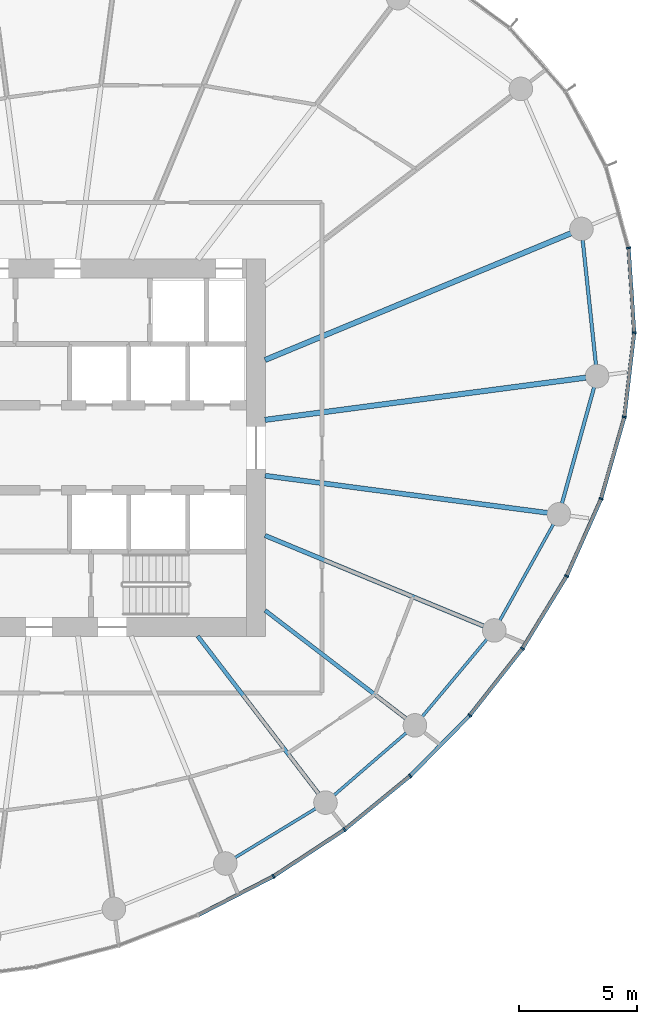
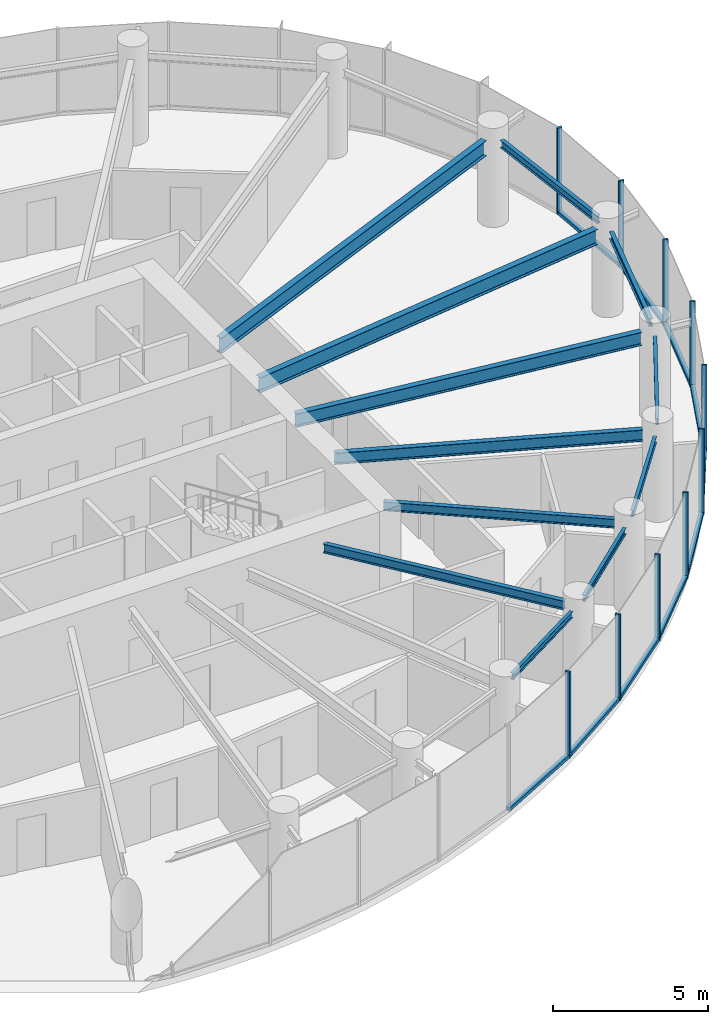
# One storey, part 4 of 15: 20 members, 12 beams, 3 elements without a shape of their own.
"""IFC4 building model written with IfcOpenShell, lengths in metres."""

from ifc_helpers import new_model, si_unit, direction, frame, origin, origin_2d, place, context, subcontext, project, spatial, rectangle, i_section, extrude, source, transform, mapped, material, layer, layer_set, material_profile, profile_set, type_object, element, aggregate, save


model = new_model("IFC4")

# Units and contexts
model_context = context("Model", 3, precision=1e-05, world=origin(), true_north=direction((0.0, 1.0)))
body_context = subcontext(model_context, "Body", "Model", "MODEL_VIEW")
ifc_project = project(units=[si_unit("LENGTHUNIT", "METRE"), si_unit("AREAUNIT", "SQUARE_METRE"), si_unit("VOLUMEUNIT", "CUBIC_METRE"), si_unit("PLANEANGLEUNIT", "RADIAN"), si_unit("MASSUNIT", "GRAM", prefix="KILO")], contexts=[model_context])

# Site, building, storey
site_placement = place(None, origin())
site = spatial("IfcSite", under=ifc_project, at=site_placement, CompositionType="ELEMENT")
building_placement = place(site_placement, origin())
building = spatial("IfcBuilding", under=site, at=building_placement, Name="Spindrift Exchange Tower", CompositionType="ELEMENT")
storey_placement = place(building_placement, frame((0.0, 0.0, 176.0)))
storey = spatial("IfcBuildingStorey", under=building, at=storey_placement, Name="L42", CompositionType="ELEMENT", Elevation=176.0)

# Beams
ifc_material_1 = material(Name="Steel Grade 300", Category="steel")
ifc_material_profile_1 = material_profile(ifc_material_1, i_section(OverallWidth=0.14892578125, OverallDepth=0.298095703125, WebThickness=0.005615234375, FlangeThickness=0.008056640625, FilletRadius=0.012939453125, at=origin_2d()), Name="310UB32.0")
ifc_profile_set_1 = profile_set([ifc_material_profile_1], Name="Steel Grade 300")
beam_type_1 = type_object("IfcBeamType", Name="Edge Beam 310UB32.0 Steel Grade 300", PredefinedType="SPANDREL", material=ifc_profile_set_1)
shared_shape_1 = source(origin(), body_context, "Body", "SweptSolid", [
    extrude(i_section(OverallWidth=0.14892578125, OverallDepth=0.298095703125, WebThickness=0.005615234375, FlangeThickness=0.008056640625, FilletRadius=0.012939453125, at=origin_2d()), origin(), (0.0, 0.0, 1.0), 5.31640625),
])
beam_1_placement = place(storey_placement, frame((75.010986328125, 51.513427734375, 3.2509765625), z_axis=(-0.10598990948, 0.994367205357, 0.0), x_axis=(-0.994367205357, -0.10598990948, 0.0)))
element("IfcBeam", 1, at=beam_1_placement, inside=storey, type_object=beam_type_1, Name="L42 edge beam E01", PredefinedType="SPANDREL", context=body_context, shape_type="MappedRepresentation", body=[
    mapped(shared_shape_1, transform((0.0, 0.0, 0.0), scale=1.0)),
])
ifc_material_profile_2 = material_profile(ifc_material_1, i_section(OverallWidth=0.1240234375, OverallDepth=0.248046875, WebThickness=0.0048828125, FlangeThickness=0.008056640625, FilletRadius=0.011962890625, at=origin_2d()), Name="250UB25.7")
ifc_profile_set_2 = profile_set([ifc_material_profile_2], Name="Steel Grade 300")
beam_type_2 = type_object("IfcBeamType", Name="Edge Beam 250UB25.7 Steel Grade 300", PredefinedType="SPANDREL", material=ifc_profile_set_2)
shared_shape_2 = source(origin(), body_context, "Body", "SweptSolid", [
    extrude(i_section(OverallWidth=0.1240234375, OverallDepth=0.248046875, WebThickness=0.0048828125, FlangeThickness=0.008056640625, FilletRadius=0.011962890625, at=origin_2d()), origin(), (0.0, 0.0, 1.0), 4.00634765625),
])
beam_2_placement = place(storey_placement, frame((59.7109375, 30.623779296875, 3.27587890625), z_axis=(0.854331495603, 0.519728482596, 0.0), x_axis=(-0.519728482596, 0.854331495603, 0.0)))
element("IfcBeam", 2, at=beam_2_placement, inside=storey, type_object=beam_type_2, Name="L42 edge beam E20", PredefinedType="SPANDREL", context=body_context, shape_type="MappedRepresentation", body=[
    mapped(shared_shape_2, transform((0.0, 0.0, 0.0), scale=1.0)),
])
shared_shape_3 = source(origin(), body_context, "Body", "SweptSolid", [
    extrude(i_section(OverallWidth=0.1240234375, OverallDepth=0.248046875, WebThickness=0.0048828125, FlangeThickness=0.008056640625, FilletRadius=0.011962890625, at=origin_2d()), origin(), (0.0, 0.0, 1.0), 4.052001953125),
])
beam_3_placement = place(storey_placement, frame((63.906982421875, 33.269287109375, 3.27587890625), z_axis=(0.756715968535, 0.65374379, 0.0), x_axis=(-0.65374379, 0.756715968535, 0.0)))
element("IfcBeam", 3, at=beam_3_placement, inside=storey, type_object=beam_type_2, Name="L42 edge beam E21", PredefinedType="SPANDREL", context=body_context, shape_type="MappedRepresentation", body=[
    mapped(shared_shape_3, transform((0.0, 0.0, 0.0), scale=1.0)),
])
shared_shape_4 = source(origin(), body_context, "Body", "SweptSolid", [
    extrude(i_section(OverallWidth=0.1240234375, OverallDepth=0.248046875, WebThickness=0.0048828125, FlangeThickness=0.008056640625, FilletRadius=0.011962890625, at=origin_2d()), origin(), (0.0, 0.0, 1.0), 4.282958984375),
])
beam_4_placement = place(storey_placement, frame((67.644287109375, 36.600341796875, 3.27587890625), z_axis=(0.641400288548, 0.767206406289, 0.0), x_axis=(-0.767206406289, 0.641400288548, 0.0)))
element("IfcBeam", 4, at=beam_4_placement, inside=storey, type_object=beam_type_2, Name="L42 edge beam E22", PredefinedType="SPANDREL", context=body_context, shape_type="MappedRepresentation", body=[
    mapped(shared_shape_4, transform((0.0, 0.0, 0.0), scale=1.0)),
])
shared_shape_5 = source(origin(), body_context, "Body", "SweptSolid", [
    extrude(i_section(OverallWidth=0.1240234375, OverallDepth=0.248046875, WebThickness=0.0048828125, FlangeThickness=0.008056640625, FilletRadius=0.011962890625, at=origin_2d()), origin(), (0.0, 0.0, 1.0), 4.6748046875),
])
beam_5_placement = place(storey_placement, frame((70.932861328125, 40.673828125, 3.27587890625), z_axis=(0.486587145143, 0.873632045075, 0.0), x_axis=(-0.873632045075, 0.486587145143, 0.0)))
element("IfcBeam", 5, at=beam_5_placement, inside=storey, type_object=beam_type_2, Name="L42 edge beam E23", PredefinedType="SPANDREL", context=body_context, shape_type="MappedRepresentation", body=[
    mapped(shared_shape_5, transform((0.0, 0.0, 0.0), scale=1.0)),
])
shared_shape_6 = source(origin(), body_context, "Body", "SweptSolid", [
    extrude(i_section(OverallWidth=0.14892578125, OverallDepth=0.298095703125, WebThickness=0.005615234375, FlangeThickness=0.008056640625, FilletRadius=0.012939453125, at=origin_2d()), origin(), (0.0, 0.0, 1.0), 5.118896484375),
])
beam_6_placement = place(storey_placement, frame((73.569091796875, 45.639892578125, 3.2509765625), z_axis=(0.266654866605, 0.963792084485, 0.0), x_axis=(-0.963792084485, 0.266654866605, 0.0)))
element("IfcBeam", 6, at=beam_6_placement, inside=storey, type_object=beam_type_1, Name="L42 edge beam E24", PredefinedType="SPANDREL", context=body_context, shape_type="MappedRepresentation", body=[
    mapped(shared_shape_6, transform((0.0, 0.0, 0.0), scale=1.0)),
])
ifc_material_profile_3 = material_profile(ifc_material_1, i_section(OverallWidth=0.22802734375, OverallDepth=0.60205078125, WebThickness=0.010498046875, FlangeThickness=0.014892578125, FilletRadius=0.013916015625, at=origin_2d()), Name="610UB101")
ifc_profile_set_3 = profile_set([ifc_material_profile_3], Name="Steel Grade 300")
beam_type_3 = type_object("IfcBeamType", Name="Floor Beam 610UB101 Steel Grade 300", PredefinedType="BEAM", material=ifc_profile_set_3)
shared_shape_7 = source(origin(), body_context, "Body", "SweptSolid", [
    extrude(i_section(OverallWidth=0.22802734375, OverallDepth=0.60205078125, WebThickness=0.010498046875, FlangeThickness=0.014892578125, FilletRadius=0.013916015625, at=origin_2d()), origin(), (0.0, 0.0, 1.0), 13.723388671875),
])
beam_7_placement = place(storey_placement, frame((60.980224609375, 49.182373046875, 3.09912109375), z_axis=(0.991447148915, 0.13050881544, 0.0), x_axis=(-0.13050881544, 0.991447148915, 0.0)))
element("IfcBeam", 7, at=beam_7_placement, inside=storey, type_object=beam_type_3, Name="L42 radial beam R01A", PredefinedType="BEAM", context=body_context, shape_type="MappedRepresentation", body=[
    mapped(shared_shape_7, transform((0.0, 0.0, 0.0), scale=1.0)),
])
shared_shape_8 = source(origin(), body_context, "Body", "SweptSolid", [
    extrude(i_section(OverallWidth=0.22802734375, OverallDepth=0.60205078125, WebThickness=0.010498046875, FlangeThickness=0.014892578125, FilletRadius=0.013916015625, at=origin_2d()), origin(), (0.0, 0.0, 1.0), 14.04052734375),
])
beam_8_placement = place(storey_placement, frame((60.9814453125, 51.72021484375, 3.09912109375), z_axis=(0.923879501748, 0.382683506634, 0.0), x_axis=(-0.382683506634, 0.923879501748, 0.0)))
element("IfcBeam", 8, at=beam_8_placement, inside=storey, type_object=beam_type_3, Name="L42 radial beam R02A", PredefinedType="BEAM", context=body_context, shape_type="MappedRepresentation", body=[
    mapped(shared_shape_8, transform((0.0, 0.0, 0.0), scale=1.0)),
])
ifc_material_profile_4 = material_profile(ifc_material_1, i_section(OverallWidth=0.1708984375, OverallDepth=0.35205078125, WebThickness=0.0068359375, FlangeThickness=0.009765625, FilletRadius=0.013916015625, at=origin_2d()), Name="360UB44.7")
ifc_profile_set_4 = profile_set([ifc_material_profile_4], Name="Steel Grade 300")
beam_type_4 = type_object("IfcBeamType", Name="Floor Beam 360UB44.7 Steel Grade 300", PredefinedType="BEAM", material=ifc_profile_set_4)
shared_shape_9 = source(origin(), body_context, "Body", "SweptSolid", [
    extrude(i_section(OverallWidth=0.1708984375, OverallDepth=0.35205078125, WebThickness=0.0068359375, FlangeThickness=0.009765625, FilletRadius=0.013916015625, at=origin_2d()), origin(), (0.0, 0.0, 1.0), 8.419189453125),
])
beam_9_placement = place(storey_placement, frame((58.12646484375, 40.015869140625, 3.22412109375), z_axis=(0.608755970582, -0.79335752866, 0.0), x_axis=(0.79335752866, 0.608755970582, 0.0)))
element("IfcBeam", 9, at=beam_9_placement, inside=storey, type_object=beam_type_4, Name="L42 radial beam R21A", PredefinedType="BEAM", context=body_context, shape_type="MappedRepresentation", body=[
    mapped(shared_shape_9, transform((0.0, 0.0, 0.0), scale=1.0)),
])
shared_shape_10 = source(origin(), body_context, "Body", "SweptSolid", [
    extrude(i_section(OverallWidth=0.1708984375, OverallDepth=0.35205078125, WebThickness=0.0068359375, FlangeThickness=0.009765625, FilletRadius=0.013916015625, at=origin_2d()), origin(), (0.0, 0.0, 1.0), 7.52685546875),
])
beam_10_placement = place(storey_placement, frame((60.984130859375, 41.106201171875, 3.22412109375), z_axis=(0.793354136078, -0.608760391918, 0.0), x_axis=(0.608760391918, 0.793354136078, 0.0)))
element("IfcBeam", 10, at=beam_10_placement, inside=storey, type_object=beam_type_4, Name="L42 radial beam R22A", PredefinedType="BEAM", context=body_context, shape_type="MappedRepresentation", body=[
    mapped(shared_shape_10, transform((0.0, 0.0, 0.0), scale=1.0)),
])
ifc_material_profile_5 = material_profile(ifc_material_1, i_section(OverallWidth=0.18994140625, OverallDepth=0.4541015625, WebThickness=0.008544921875, FlangeThickness=0.0126953125, FilletRadius=0.013916015625, at=origin_2d()), Name="460UB67.1")
ifc_profile_set_5 = profile_set([ifc_material_profile_5], Name="Steel Grade 300")
beam_type_5 = type_object("IfcBeamType", Name="Floor Beam 460UB67.1 Steel Grade 300", PredefinedType="BEAM", material=ifc_profile_set_5)
shared_shape_11 = source(origin(), body_context, "Body", "SweptSolid", [
    extrude(i_section(OverallWidth=0.18994140625, OverallDepth=0.4541015625, WebThickness=0.008544921875, FlangeThickness=0.0126953125, FilletRadius=0.013916015625, at=origin_2d()), origin(), (0.0, 0.0, 1.0), 10.03857421875),
])
beam_11_placement = place(storey_placement, frame((60.9814453125, 44.27978515625, 3.173095703125), z_axis=(0.923880777638, -0.382680426349, 0.0), x_axis=(0.382680426349, 0.923880777638, 0.0)))
element("IfcBeam", 11, at=beam_11_placement, inside=storey, type_object=beam_type_5, Name="L42 radial beam R23A", PredefinedType="BEAM", context=body_context, shape_type="MappedRepresentation", body=[
    mapped(shared_shape_11, transform((0.0, 0.0, 0.0), scale=1.0)),
])
ifc_material_profile_6 = material_profile(ifc_material_1, i_section(OverallWidth=0.208984375, OverallDepth=0.528076171875, WebThickness=0.009521484375, FlangeThickness=0.01318359375, FilletRadius=0.013916015625, at=origin_2d()), Name="530UB82.0")
ifc_profile_set_6 = profile_set([ifc_material_profile_6], Name="Steel Grade 300")
beam_type_6 = type_object("IfcBeamType", Name="Floor Beam 530UB82.0 Steel Grade 300", PredefinedType="BEAM", material=ifc_profile_set_6)
shared_shape_12 = source(origin(), body_context, "Body", "SweptSolid", [
    extrude(i_section(OverallWidth=0.208984375, OverallDepth=0.528076171875, WebThickness=0.009521484375, FlangeThickness=0.01318359375, FilletRadius=0.013916015625, at=origin_2d()), origin(), (0.0, 0.0, 1.0), 12.088134765625),
])
beam_12_placement = place(storey_placement, frame((60.980224609375, 46.817626953125, 3.135986328125), z_axis=(0.991447007302, -0.130509891244, 0.0), x_axis=(0.130509891244, 0.991447007302, 0.0)))
element("IfcBeam", 12, at=beam_12_placement, inside=storey, type_object=beam_type_6, Name="L42 radial beam R24A", PredefinedType="BEAM", context=body_context, shape_type="MappedRepresentation", body=[
    mapped(shared_shape_12, transform((0.0, 0.0, 0.0), scale=1.0)),
])

# Curtain wall, member
ifc_material_2 = material(Name="Fritted laminated glass with bronze frame", Category="glass")
ifc_layer = layer(ifc_material_2, 0.179931640625)
ifc_layer_set = layer_set([ifc_layer], Name="ZONE 3 BRONZE FRITTED WALL")
curtain_wall_type = type_object("IfcCurtainWallType", Name="ZONE 3 BRONZE FRITTED WALL", PredefinedType="NOTDEFINED", material=ifc_layer_set)
curtain_wall_1_placement = place(storey_placement, origin())
curtain_wall_1 = element("IfcCurtainWall", 13, at=curtain_wall_1_placement, inside=storey, type_object=curtain_wall_type, Name="L42 Zone 3 Bronze Fritted Wall run 5", PredefinedType="NOTDEFINED")
ifc_material_3 = material(Name="Bronze anodised aluminium", Category="aluminium")
ifc_material_profile_7 = material_profile(ifc_material_3, rectangle(XDim=0.159912109375, YDim=0.1298828125, at=origin_2d()), Name="ZONE 3 BRONZE FRITTED WALL TRANSOM 160X130")
ifc_profile_set_7 = profile_set([ifc_material_profile_7], Name="Bronze anodised aluminium")
member_type_1 = type_object("IfcMemberType", Name="ZONE 3 BRONZE FRITTED WALL TRANSOM 160X130", PredefinedType="USERDEFINED", material=ifc_profile_set_7)
shared_shape_13 = source(origin(), body_context, "Body", "SweptSolid", [
    extrude(rectangle(XDim=0.159912109375, YDim=0.1298828125, at=origin_2d()), origin(), (0.0, 0.0, 1.0), 3.53076171875),
])
member_1_placement = place(storey_placement, frame((58.16796875, 28.19921875, 0.06494140625), z_axis=(0.889082014663, 0.457747934132, 0.0), x_axis=(-0.457747934132, 0.889082014663, 0.0)))
member_1 = element("IfcMember", 14, at=member_1_placement, type_object=member_type_1, Name="L42 transom CW-3.30", ObjectType="TRANSOM", PredefinedType="USERDEFINED", context=body_context, shape_type="MappedRepresentation", body=[
    mapped(shared_shape_13, transform((0.0, 0.0, 0.0), scale=1.0)),
])
aggregate(curtain_wall_1, [member_1])

# Curtain wall, members
curtain_wall_2_placement = place(storey_placement, origin())
curtain_wall_2 = element("IfcCurtainWall", 15, at=curtain_wall_2_placement, inside=storey, type_object=curtain_wall_type, Name="L42 Zone 3 Bronze Fritted Wall run 6", PredefinedType="NOTDEFINED")
member_2_placement = place(storey_placement, frame((67.158935546875, 34.114013671875, 0.06494140625), z_axis=(0.701762496127, 0.712410976214, 0.0), x_axis=(-0.712410976214, 0.701762496127, 0.0)))
member_2 = element("IfcMember", 16, at=member_2_placement, type_object=member_type_1, Name="L42 transom CW-3.33", ObjectType="TRANSOM", PredefinedType="USERDEFINED", context=body_context, shape_type="MappedRepresentation", body=[
    mapped(shared_shape_13, transform((0.0, 0.0, 0.0), scale=1.0)),
])
member_3_placement = place(storey_placement, frame((69.682861328125, 36.681884765625, 0.06494140625), z_axis=(0.61846876923, 0.785809379867, 0.0), x_axis=(-0.785809379867, 0.61846876923, 0.0)))
member_3 = element("IfcMember", 17, at=member_3_placement, type_object=member_type_1, Name="L42 transom CW-3.34", ObjectType="TRANSOM", PredefinedType="USERDEFINED", context=body_context, shape_type="MappedRepresentation", body=[
    mapped(shared_shape_13, transform((0.0, 0.0, 0.0), scale=1.0)),
])
shared_shape_14 = source(origin(), body_context, "Body", "SweptSolid", [
    extrude(rectangle(XDim=0.159912109375, YDim=0.1298828125, at=origin_2d()), origin(), (0.0, 0.0, 1.0), 3.531005859375),
])
member_4_placement = place(storey_placement, frame((61.367431640625, 29.8505859375, 0.06494140625), z_axis=(0.835870455003, 0.548926755089, 0.0), x_axis=(-0.548926755089, 0.835870455003, 0.0)))
member_4 = element("IfcMember", 18, at=member_4_placement, type_object=member_type_1, Name="L42 transom CW-3.31", ObjectType="TRANSOM", PredefinedType="USERDEFINED", context=body_context, shape_type="MappedRepresentation", body=[
    mapped(shared_shape_14, transform((0.0, 0.0, 0.0), scale=1.0)),
])
member_5_placement = place(storey_placement, frame((64.375244140625, 31.830078125, 0.06494140625), z_axis=(0.773701546777, 0.633550247821, 0.0), x_axis=(-0.633550247821, 0.773701546777, 0.0)))
member_5 = element("IfcMember", 19, at=member_5_placement, type_object=member_type_1, Name="L42 transom CW-3.32", ObjectType="TRANSOM", PredefinedType="USERDEFINED", context=body_context, shape_type="MappedRepresentation", body=[
    mapped(shared_shape_14, transform((0.0, 0.0, 0.0), scale=1.0)),
])
shared_shape_15 = source(origin(), body_context, "Body", "SweptSolid", [
    extrude(rectangle(XDim=0.159912109375, YDim=0.1298828125, at=origin_2d()), origin(), (0.0, 0.0, 1.0), 3.5302734375),
])
member_6_placement = place(storey_placement, frame((71.90625, 39.513671875, 0.06494140625), z_axis=(0.521374478664, 0.853327986766, 0.0), x_axis=(-0.853327986766, 0.521374478664, 0.0)))
member_6 = element("IfcMember", 20, at=member_6_placement, type_object=member_type_1, Name="L42 transom CW-3.35", ObjectType="TRANSOM", PredefinedType="USERDEFINED", context=body_context, shape_type="MappedRepresentation", body=[
    mapped(shared_shape_15, transform((0.0, 0.0, 0.0), scale=1.0)),
])
shared_shape_16 = source(origin(), body_context, "Body", "SweptSolid", [
    extrude(rectangle(XDim=0.159912109375, YDim=0.1298828125, at=origin_2d()), origin(), (0.0, 0.0, 1.0), 3.530029296875),
])
member_7_placement = place(storey_placement, frame((73.779296875, 42.587890625, 0.06494140625), z_axis=(0.407498426049, 0.913205909293, 0.0), x_axis=(-0.913205909293, 0.407498426049, 0.0)))
member_7 = element("IfcMember", 21, at=member_7_placement, type_object=member_type_1, Name="L42 transom CW-3.36", ObjectType="TRANSOM", PredefinedType="USERDEFINED", context=body_context, shape_type="MappedRepresentation", body=[
    mapped(shared_shape_16, transform((0.0, 0.0, 0.0), scale=1.0)),
])

curtain_wall_3_placement = place(storey_placement, origin())
curtain_wall_3 = element("IfcCurtainWall", 22, at=curtain_wall_3_placement, inside=storey, type_object=curtain_wall_type, Name="L42 Zone 3 Bronze Fritted Wall run 7", PredefinedType="NOTDEFINED")
shared_shape_17 = source(origin(), body_context, "Body", "SweptSolid", [
    extrude(rectangle(XDim=0.159912109375, YDim=0.1298828125, at=origin_2d()), origin(), (0.0, 0.0, 1.0), 3.527099609375),
])
member_8_placement = place(storey_placement, frame((76.62939453125, 52.914306640625, 0.06494140625), z_axis=(-0.066381184108, 0.997794336723, 0.0), x_axis=(-0.997794336723, -0.066381184108, 0.0)))
member_8 = element("IfcMember", 23, at=member_8_placement, type_object=member_type_1, Name="L42 transom CW-3.39", ObjectType="TRANSOM", PredefinedType="USERDEFINED", context=body_context, shape_type="MappedRepresentation", body=[
    mapped(shared_shape_17, transform((0.0, 0.0, 0.0), scale=1.0)),
])
shared_shape_18 = source(origin(), body_context, "Body", "SweptSolid", [
    extrude(rectangle(XDim=0.159912109375, YDim=0.1298828125, at=origin_2d()), origin(), (0.0, 0.0, 1.0), 3.528076171875),
])
member_9_placement = place(storey_placement, frame((76.2197265625, 49.34033203125, 0.06494140625), z_axis=(0.115632646709, 0.993292047192, 0.0), x_axis=(-0.993292047192, 0.115632646709, 0.0)))
member_9 = element("IfcMember", 24, at=member_9_placement, type_object=member_type_1, Name="L42 transom CW-3.38", ObjectType="TRANSOM", PredefinedType="USERDEFINED", context=body_context, shape_type="MappedRepresentation", body=[
    mapped(shared_shape_18, transform((0.0, 0.0, 0.0), scale=1.0)),
])
shared_shape_19 = source(origin(), body_context, "Body", "SweptSolid", [
    extrude(rectangle(XDim=0.159912109375, YDim=0.1298828125, at=origin_2d()), origin(), (0.0, 0.0, 1.0), 3.529052734375),
])
member_10_placement = place(storey_placement, frame((75.241455078125, 45.876953125, 0.06494140625), z_axis=(0.273322916593, 0.96192233744, 0.0), x_axis=(-0.96192233744, 0.273322916593, 0.0)))
member_10 = element("IfcMember", 25, at=member_10_placement, type_object=member_type_1, Name="L42 transom CW-3.37", ObjectType="TRANSOM", PredefinedType="USERDEFINED", context=body_context, shape_type="MappedRepresentation", body=[
    mapped(shared_shape_19, transform((0.0, 0.0, 0.0), scale=1.0)),
])

# Member
ifc_material_profile_8 = material_profile(ifc_material_3, rectangle(XDim=0.070068359375, YDim=0.179931640625, at=origin_2d()), Name="ZONE 3 BRONZE FRITTED WALL MULLION 70X180")
ifc_profile_set_8 = profile_set([ifc_material_profile_8], Name="Bronze anodised aluminium")
member_type_2 = type_object("IfcMemberType", Name="ZONE 3 BRONZE FRITTED WALL MULLION 70X180", PredefinedType="MULLION", material=ifc_profile_set_8)
shared_shape_20 = source(origin(), body_context, "Body", "SweptSolid", [
    extrude(rectangle(XDim=0.070068359375, YDim=0.179931640625, at=origin_2d()), origin(), (0.0, 0.0, 1.0), 3.39990234375),
])
member_11_placement = place(storey_placement, frame((61.338134765625, 29.831298828125, 0.0), z_axis=(0.0, 0.0, 1.0), x_axis=(0.863679835397, 0.504040813752, 0.0)))
member_11 = element("IfcMember", 26, at=member_11_placement, type_object=member_type_2, Name="L42 mullion CW-3.31", PredefinedType="MULLION", context=body_context, shape_type="MappedRepresentation", body=[
    mapped(shared_shape_20, transform((0.0, 0.0, 0.0), scale=1.0)),
])

member_12_placement = place(storey_placement, frame((64.34814453125, 31.80810546875, 0.0), z_axis=(0.0, 0.0, 1.0), x_axis=(0.805919112959, 0.592025661072, 0.0)))
member_12 = element("IfcMember", 27, at=member_12_placement, type_object=member_type_2, Name="L42 mullion CW-3.32", PredefinedType="MULLION", context=body_context, shape_type="MappedRepresentation", body=[
    mapped(shared_shape_20, transform((0.0, 0.0, 0.0), scale=1.0)),
])

member_13_placement = place(storey_placement, frame((67.13427734375, 34.089111328125, 0.0), z_axis=(0.0, 0.0, 1.0), x_axis=(0.738822560476, 0.673900010485, 0.0)))
member_13 = element("IfcMember", 28, at=member_13_placement, type_object=member_type_2, Name="L42 mullion CW-3.33", PredefinedType="MULLION", context=body_context, shape_type="MappedRepresentation", body=[
    mapped(shared_shape_20, transform((0.0, 0.0, 0.0), scale=1.0)),
])

member_14_placement = place(storey_placement, frame((69.661376953125, 36.654296875, 0.0), z_axis=(0.0, 0.0, 1.0), x_axis=(0.661147114843, 0.750256284569, 0.0)))
member_14 = element("IfcMember", 29, at=member_14_placement, type_object=member_type_2, Name="L42 mullion CW-3.34", PredefinedType="MULLION", context=body_context, shape_type="MappedRepresentation", body=[
    mapped(shared_shape_20, transform((0.0, 0.0, 0.0), scale=1.0)),
])

member_15_placement = place(storey_placement, frame((71.88818359375, 39.483642578125, 0.0), z_axis=(0.0, 0.0, 1.0), x_axis=(0.570900389137, 0.821019333319, 0.0)))
member_15 = element("IfcMember", 30, at=member_15_placement, type_object=member_type_2, Name="L42 mullion CW-3.35", PredefinedType="MULLION", context=body_context, shape_type="MappedRepresentation", body=[
    mapped(shared_shape_20, transform((0.0, 0.0, 0.0), scale=1.0)),
])

member_16_placement = place(storey_placement, frame((73.76513671875, 42.555908203125, 0.0), z_axis=(0.0, 0.0, 1.0), x_axis=(0.465381897719, 0.885109987106, 0.0)))
member_16 = element("IfcMember", 31, at=member_16_placement, type_object=member_type_2, Name="L42 mullion CW-3.36", PredefinedType="MULLION", context=body_context, shape_type="MappedRepresentation", body=[
    mapped(shared_shape_20, transform((0.0, 0.0, 0.0), scale=1.0)),
])

aggregate(curtain_wall_2, [member_11, member_4, member_12, member_5, member_13, member_2, member_14, member_3, member_15, member_6, member_16, member_7])

member_17_placement = place(storey_placement, frame((75.23193359375, 45.843505859375, 0.0), z_axis=(0.0, 0.0, 1.0), x_axis=(0.341273617216, 0.939963998349, 0.0)))
member_17 = element("IfcMember", 32, at=member_17_placement, type_object=member_type_2, Name="L42 mullion CW-3.37", PredefinedType="MULLION", context=body_context, shape_type="MappedRepresentation", body=[
    mapped(shared_shape_20, transform((0.0, 0.0, 0.0), scale=1.0)),
])

member_18_placement = place(storey_placement, frame((76.2158203125, 49.305419921875, 0.0), z_axis=(0.0, 0.0, 1.0), x_axis=(0.195110549619, 0.980781256666, 0.0)))
member_18 = element("IfcMember", 33, at=member_18_placement, type_object=member_type_2, Name="L42 mullion CW-3.38", PredefinedType="MULLION", context=body_context, shape_type="MappedRepresentation", body=[
    mapped(shared_shape_20, transform((0.0, 0.0, 0.0), scale=1.0)),
])

member_19_placement = place(storey_placement, frame((76.6318359375, 52.87939453125, 0.0), z_axis=(0.0, 0.0, 1.0), x_axis=(0.024729315489, 0.999694183716, 0.0)))
member_19 = element("IfcMember", 34, at=member_19_placement, type_object=member_type_2, Name="L42 mullion CW-3.39", PredefinedType="MULLION", context=body_context, shape_type="MappedRepresentation", body=[
    mapped(shared_shape_20, transform((0.0, 0.0, 0.0), scale=1.0)),
])

member_20_placement = place(storey_placement, frame((76.39306640625, 56.468505859375, 0.0), z_axis=(0.0, 0.0, 1.0), x_axis=(-0.167846132091, 0.985813205401, 0.0)))
member_20 = element("IfcMember", 35, at=member_20_placement, type_object=member_type_2, Name="L42 mullion CW-3.40", PredefinedType="MULLION", context=body_context, shape_type="MappedRepresentation", body=[
    mapped(shared_shape_20, transform((0.0, 0.0, 0.0), scale=1.0)),
])

aggregate(curtain_wall_3, [member_17, member_10, member_18, member_9, member_19, member_8, member_20])

save(model, "model.ifc")
